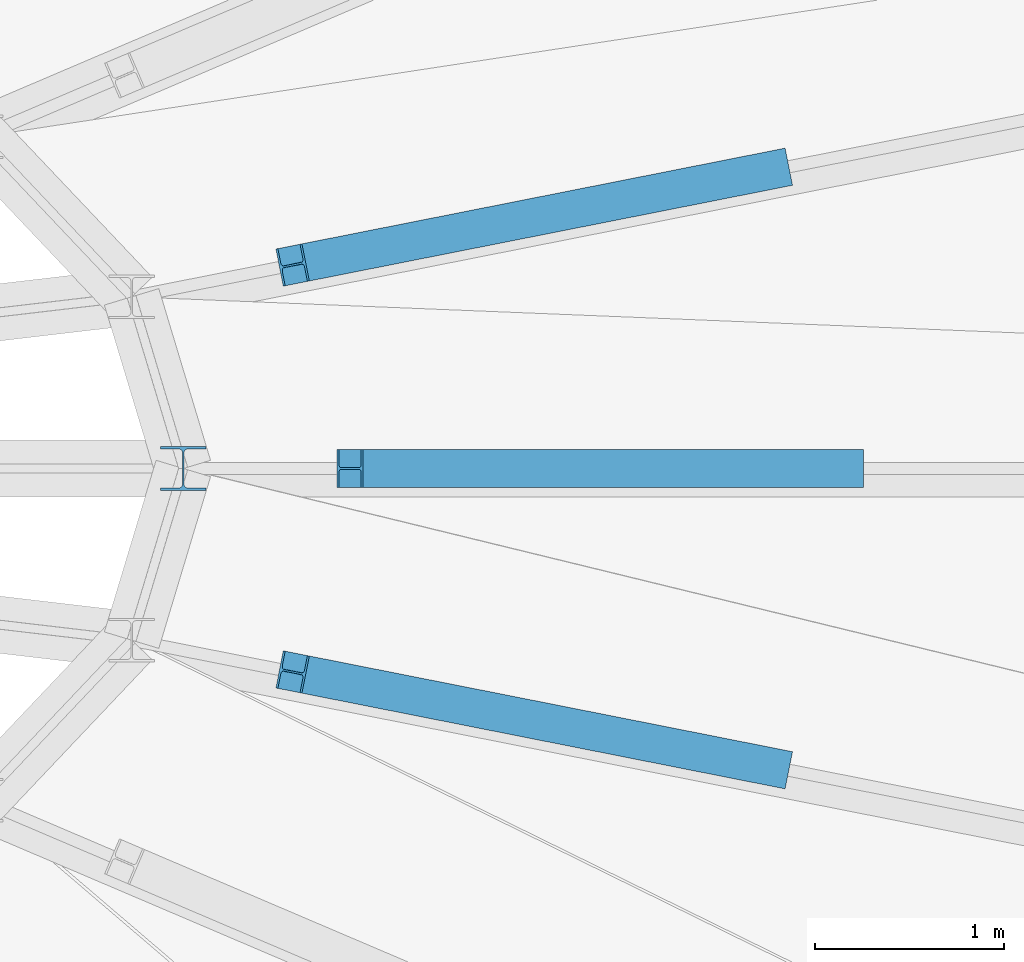
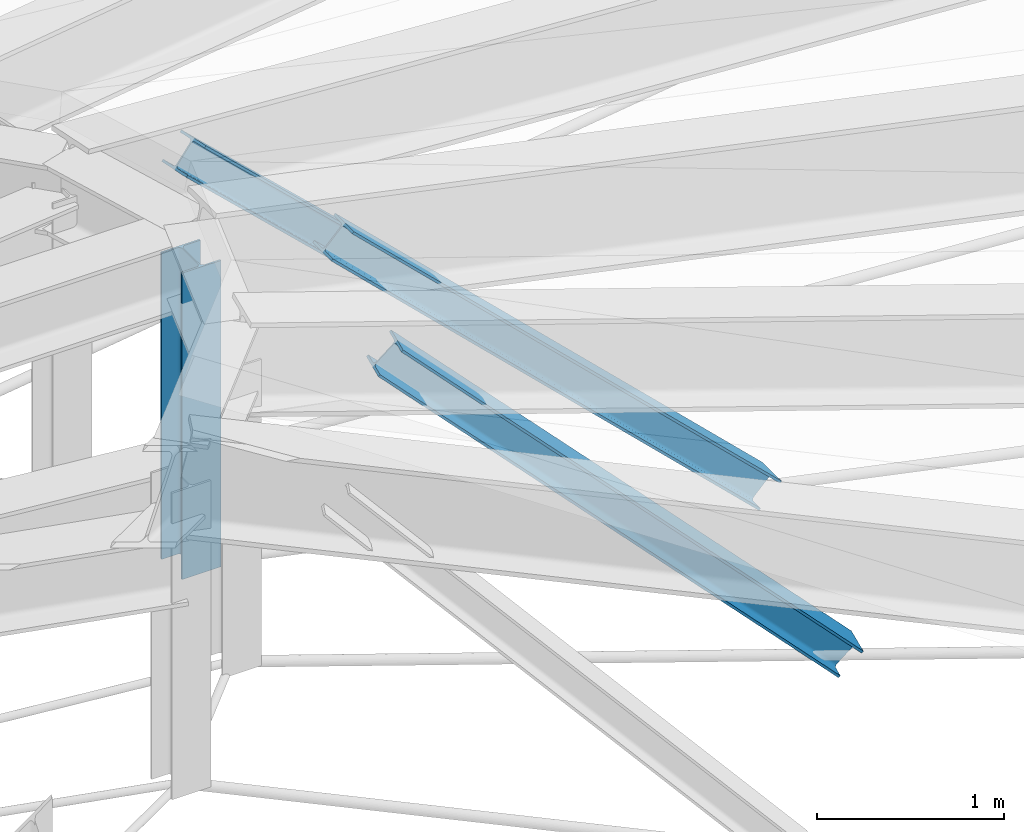
# One storey, part 16 of 83: 4 members.
"""IFC4 building model written with IfcOpenShell, lengths in metres."""

from ifc_helpers import new_model, si_unit, direction, frame, origin, origin_2d, place, context, subcontext, project, spatial, i_section, extrude, material, material_profile, profile_set, type_object, element, save


model = new_model("IFC4")

# Units and contexts
model_context = context("Model", 3, precision=1e-05, world=origin(), true_north=direction((0.0, 1.0)))
body_context = subcontext(model_context, "Body", "Model", "MODEL_VIEW")
ifc_project = project(units=[si_unit("LENGTHUNIT", "METRE"), si_unit("AREAUNIT", "SQUARE_METRE"), si_unit("VOLUMEUNIT", "CUBIC_METRE"), si_unit("PLANEANGLEUNIT", "RADIAN"), si_unit("MASSUNIT", "GRAM", prefix="KILO")], contexts=[model_context])

# Site, building, storey
site_placement = place(None, origin())
site = spatial("IfcSite", under=ifc_project, at=site_placement, CompositionType="ELEMENT")
building_placement = place(site_placement, origin())
building = spatial("IfcBuilding", under=site, at=building_placement, Name="Kivolera Central Railway Station", CompositionType="ELEMENT")
storey_placement = place(building_placement, frame((0.0, 0.0, 14.39990234375)))
storey = spatial("IfcBuildingStorey", under=building, at=storey_placement, Name="L03", CompositionType="ELEMENT", Elevation=14.39990234375)

# Members
ifc_material = material(Name="Steel S355", Category="steel")
ifc_material_profile_1 = material_profile(ifc_material, i_section(OverallWidth=0.239990234375, OverallDepth=0.22998046875, WebThickness=0.007568359375, FlangeThickness=0.011962890625, FilletRadius=0.02099609375, at=origin_2d()), Name="HEA 240")
ifc_profile_set_1 = profile_set([ifc_material_profile_1], Name="Steel S355")
member_type_1 = type_object("IfcMemberType", Name="MEM-RAF-HEA240", PredefinedType="STRUT", material=ifc_profile_set_1)
member_1_placement = place(storey_placement, frame((72.0, 90.0, 8.380126953125), z_axis=(0.0, 0.0, 1.0), x_axis=(1.0, 0.0, 0.0)))
element("IfcMember", 1, at=member_1_placement, inside=storey, type_object=member_type_1, Name="Dome Crown Spreader Post DP2-01", PredefinedType="STRUT", context=body_context, shape_type="SweptSolid", body=[
    extrude(i_section(OverallWidth=0.239990234375, OverallDepth=0.22998046875, WebThickness=0.007568359375, FlangeThickness=0.011962890625, FilletRadius=0.02099609375, at=origin_2d()), origin(), (0.0, 0.0, 1.0), 2.0),
])
ifc_material_profile_2 = material_profile(ifc_material, i_section(OverallWidth=0.199951171875, OverallDepth=0.199951171875, WebThickness=0.009033203125, FlangeThickness=0.014892578125, FilletRadius=0.01806640625, at=origin_2d()), Name="HEB 200")
ifc_profile_set_2 = profile_set([ifc_material_profile_2], Name="Steel S355")
member_type_2 = type_object("IfcMemberType", Name="MEM-RAF-HEB200", PredefinedType="RAFTER", material=ifc_profile_set_2)
member_2_placement = place(storey_placement, frame((75.52001953125, 90.0, 7.64404296875), z_axis=(-0.719006095885, 0.0, 0.695003765515), x_axis=(0.0, -1.0, 0.0)))
element("IfcMember", 2, at=member_2_placement, inside=storey, type_object=member_type_2, Name="Dome Inner Truss Raking Web DWEB2-01.3", PredefinedType="RAFTER", context=body_context, shape_type="SweptSolid", body=[
    extrude(i_section(OverallWidth=0.199951171875, OverallDepth=0.199951171875, WebThickness=0.009033203125, FlangeThickness=0.014892578125, FilletRadius=0.01806640625, at=origin_2d()), origin(), (0.0, 0.0, 1.0), 3.671875),
])
for number, where, z_axis, x_axis, name in (
    (3, (75.126953125, 91.5791015625, 7.64404296875), (-0.70000791602, -0.13866121381, 0.700544063778), (0.194309748396, -0.980940223295, 0.0), "Dome Inner Truss Raking Web DWEB2-02.3"),
    (4, (75.126953125, 88.4208984375, 7.64404296875), (-0.70000791602, 0.13866121381, 0.700544063778), (-0.194309748396, -0.980940223295, 0.0), "Dome Inner Truss Raking Web DWEB2-24.3"),
):
    element("IfcMember", number, at=place(storey_placement, frame(where, z_axis=z_axis, x_axis=x_axis)), inside=storey, type_object=member_type_2, Name=name, PredefinedType="RAFTER", context=body_context, shape_type="SweptSolid", body=[
        extrude(i_section(OverallWidth=0.199951171875, OverallDepth=0.199951171875, WebThickness=0.009033203125, FlangeThickness=0.014892578125, FilletRadius=0.01806640625, at=origin_2d()), origin(), (0.0, 0.0, 1.0), 3.642822265625),
    ])

save(model, "model.ifc")
